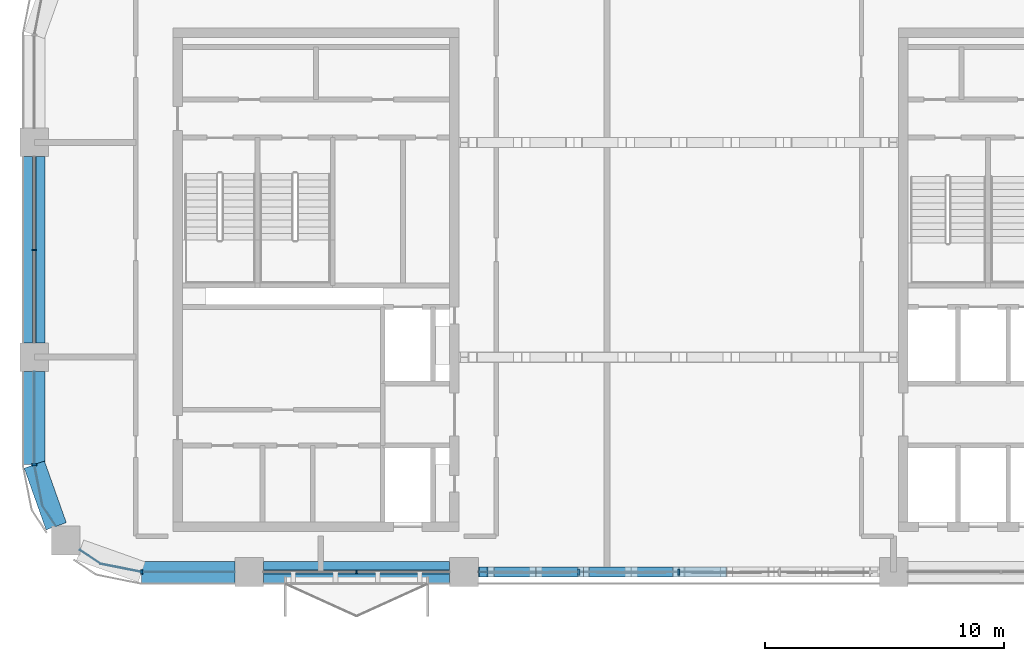
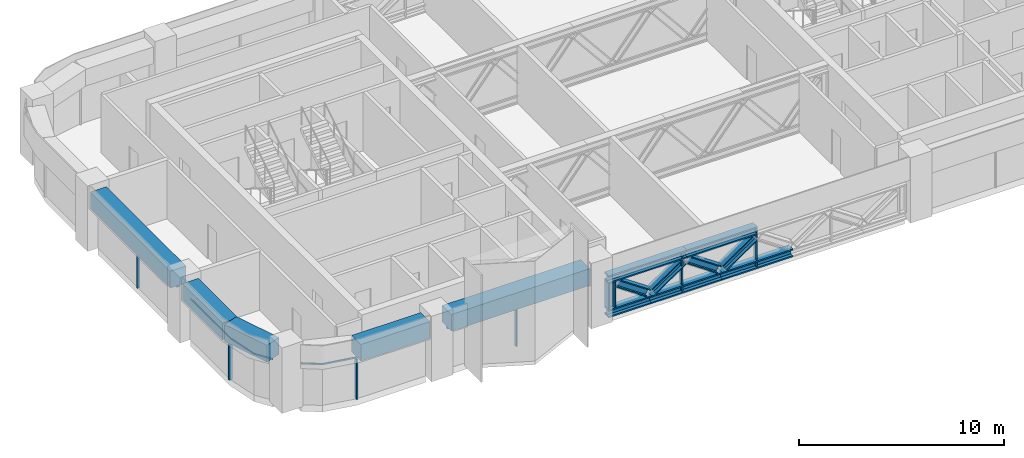
# One storey, part 2 of 14: 20 members, 5 beams, 5 elements without a shape of their own.
"""IFC4 building model written with IfcOpenShell, lengths in metres."""

from ifc_helpers import new_model, si_unit, direction, frame, origin, origin_2d, place, context, subcontext, project, spatial, polyline, rectangle, i_section, outline, extrude, material, material_profile, profile_set, type_object, element, aggregate, save


model = new_model("IFC4")

# Units and contexts
model_context = context("Model", 3, precision=1e-05, world=origin(), true_north=direction((0.0, 1.0)))
body_context = subcontext(model_context, "Body", "Model", "MODEL_VIEW")
ifc_project = project(units=[si_unit("LENGTHUNIT", "METRE"), si_unit("AREAUNIT", "SQUARE_METRE"), si_unit("VOLUMEUNIT", "CUBIC_METRE"), si_unit("PLANEANGLEUNIT", "RADIAN"), si_unit("MASSUNIT", "GRAM", prefix="KILO")], contexts=[model_context])

# Site, building, storey
site_placement = place(None, origin())
site = spatial("IfcSite", under=ifc_project, at=site_placement, CompositionType="ELEMENT")
building_placement = place(site_placement, origin())
building = spatial("IfcBuilding", under=site, at=building_placement, Name="Tessera Arch", CompositionType="ELEMENT")
storey_placement = place(building_placement, frame((0.0, 0.0, 226.699951171875)))
storey = spatial("IfcBuildingStorey", under=building, at=storey_placement, Name="L54", CompositionType="ELEMENT", Elevation=226.699951171875)

# Curtain wall, member
ifc_material_1 = material(Name="CW1 curtain wall")
curtain_wall_type_1 = type_object("IfcCurtainWallType", Name="CW1 curtain wall", PredefinedType="NOTDEFINED", material=ifc_material_1)
curtain_wall_1_placement = place(storey_placement, origin())
curtain_wall_1 = element("IfcCurtainWall", 1, at=curtain_wall_1_placement, inside=storey, type_object=curtain_wall_type_1, Name="CW1 curtain wall W0.27/1 L54", PredefinedType="NOTDEFINED")
ifc_material_2 = material(Name="Anodised aluminium pale metal", Category="aluminium")
ifc_material_profile_1 = material_profile(ifc_material_2, rectangle(XDim=0.159912109375, YDim=0.06005859375, at=origin_2d()), Name="AL 60x160")
ifc_profile_set_1 = profile_set([ifc_material_profile_1], Name="Anodised aluminium pale metal")
member_type_1 = type_object("IfcMemberType", Name="CW1 mullion", PredefinedType="MULLION", material=ifc_profile_set_1)
member_1_placement = place(storey_placement, frame((0.0, 40.5, 0.0), z_axis=(0.0, 0.0, 1.0), x_axis=(1.0, 0.0, 0.0)))
member_1 = element("IfcMember", 2, at=member_1_placement, type_object=member_type_1, Name="CW1 mullion W0.27/1 1", PredefinedType="MULLION", context=body_context, shape_type="SweptSolid", body=[
    extrude(rectangle(XDim=0.159912109375, YDim=0.06005859375, at=origin_2d()), origin(), (0.0, 0.0, 1.0), 2.400146484375),
])

curtain_wall_2_placement = place(storey_placement, origin())
curtain_wall_2 = element("IfcCurtainWall", 3, at=curtain_wall_2_placement, inside=storey, type_object=curtain_wall_type_1, Name="CW1 curtain wall S27.0/1 L54", PredefinedType="NOTDEFINED")
member_2_placement = place(storey_placement, frame((13.5, 27.0, 0.0), z_axis=(0.0, 0.0, 1.0), x_axis=(0.0, 1.0, 0.0)))
member_2 = element("IfcMember", 4, at=member_2_placement, type_object=member_type_1, Name="CW1 mullion S27.0/1 1", PredefinedType="MULLION", context=body_context, shape_type="SweptSolid", body=[
    extrude(rectangle(XDim=0.159912109375, YDim=0.06005859375, at=origin_2d()), origin(), (0.0, 0.0, 1.0), 2.400146484375),
])

# Member
ifc_material_3 = material(Name="Anodised aluminium pale metal", Category="aluminium")
ifc_material_profile_2 = material_profile(ifc_material_3, rectangle(XDim=0.159912109375, YDim=0.10009765625, at=origin_2d()), Name="AL 160x100")
ifc_profile_set_2 = profile_set([ifc_material_profile_2], Name="Anodised aluminium pale metal")
member_type_2 = type_object("IfcMemberType", Name="CW1 transom", PredefinedType="USERDEFINED", material=ifc_profile_set_2)
member_3_placement = place(storey_placement, frame((0.0, 44.39990234375, 2.449951171875), z_axis=(0.0, -1.0, 0.0), x_axis=(1.0, 0.0, 0.0)))
member_3 = element("IfcMember", 5, at=member_3_placement, type_object=member_type_2, Name="CW1 transom W0.27/1 1.1", ObjectType="TRANSOM", PredefinedType="USERDEFINED", context=body_context, shape_type="SweptSolid", body=[
    extrude(rectangle(XDim=0.159912109375, YDim=0.10009765625, at=origin_2d()), origin(), (0.0, 0.0, 1.0), 7.7998046875),
])

aggregate(curtain_wall_1, [member_1, member_3])

member_4_placement = place(storey_placement, frame((9.60009765625, 27.0, 2.449951171875), z_axis=(1.0, 0.0, 0.0), x_axis=(0.0, 1.0, 0.0)))
member_4 = element("IfcMember", 6, at=member_4_placement, type_object=member_type_2, Name="CW1 transom S27.0/1 1.1", ObjectType="TRANSOM", PredefinedType="USERDEFINED", context=body_context, shape_type="SweptSolid", body=[
    extrude(rectangle(XDim=0.159912109375, YDim=0.10009765625, at=origin_2d()), origin(), (0.0, 0.0, 1.0), 7.7998046875),
])

aggregate(curtain_wall_2, [member_2, member_4])

# Curtain wall, member
ifc_material_4 = material(Name="CW2 curtain wall")
curtain_wall_type_2 = type_object("IfcCurtainWallType", Name="CW2 curtain wall", PredefinedType="NOTDEFINED", material=ifc_material_4)
curtain_wall_3_placement = place(storey_placement, origin())
curtain_wall_3 = element("IfcCurtainWall", 7, at=curtain_wall_3_placement, inside=storey, type_object=curtain_wall_type_2, Name="CW2 curtain wall W0.27/2 L54", PredefinedType="NOTDEFINED")
ifc_material_5 = material(Name="Anodised aluminium pale metal", Category="aluminium")
ifc_material_profile_3 = material_profile(ifc_material_5, rectangle(XDim=0.199951171875, YDim=0.080078125, at=origin_2d()), Name="AL 80x200")
ifc_profile_set_3 = profile_set([ifc_material_profile_3], Name="Anodised aluminium pale metal")
member_type_3 = type_object("IfcMemberType", Name="CW2 mullion", PredefinedType="MULLION", material=ifc_profile_set_3)
member_5_placement = place(storey_placement, frame((0.0, 31.5, 0.0), z_axis=(0.0, 0.0, 1.0), x_axis=(1.0, 0.0, 0.0)))
member_5 = element("IfcMember", 8, at=member_5_placement, type_object=member_type_3, Name="CW2 mullion W0.27/2 1", PredefinedType="MULLION", context=body_context, shape_type="SweptSolid", body=[
    extrude(rectangle(XDim=0.199951171875, YDim=0.080078125, at=origin_2d()), origin(), (0.0, 0.0, 1.0), 2.400146484375),
])

curtain_wall_4_placement = place(storey_placement, origin())
curtain_wall_4 = element("IfcCurtainWall", 9, at=curtain_wall_4_placement, inside=storey, type_object=curtain_wall_type_2, Name="CW2 curtain wall S27.0/0 L54", PredefinedType="NOTDEFINED")
member_6_placement = place(storey_placement, frame((4.5, 27.0, 0.0), z_axis=(0.0, 0.0, 1.0), x_axis=(0.0, 1.0, 0.0)))
member_6 = element("IfcMember", 10, at=member_6_placement, type_object=member_type_3, Name="CW2 mullion S27.0/0 1", PredefinedType="MULLION", context=body_context, shape_type="SweptSolid", body=[
    extrude(rectangle(XDim=0.199951171875, YDim=0.080078125, at=origin_2d()), origin(), (0.0, 0.0, 1.0), 2.400146484375),
])

# Member
ifc_material_6 = material(Name="Anodised aluminium pale metal", Category="aluminium")
ifc_material_profile_4 = material_profile(ifc_material_6, rectangle(XDim=0.199951171875, YDim=0.10009765625, at=origin_2d()), Name="AL 200x100")
ifc_profile_set_4 = profile_set([ifc_material_profile_4], Name="Anodised aluminium pale metal")
member_type_4 = type_object("IfcMemberType", Name="CW2 transom", PredefinedType="USERDEFINED", material=ifc_profile_set_4)
member_7_placement = place(storey_placement, frame((0.0, 0.0, 2.400146484375)))
member_7 = element("IfcMember", 11, at=member_7_placement, type_object=member_type_4, Name="CW2 transom W0.27/2 1", ObjectType="TRANSOM", PredefinedType="USERDEFINED", context=body_context, shape_type="SweptSolid", body=[
    extrude(outline(polyline([(0.010009765625, 31.5009765625), (0.010009765625, 35.39990234375), (-0.010009765625, 35.39990234375), (-0.010009765625, 31.4990234375), (0.3330078125, 29.77392578125), (0.90869140625, 28.912353515625), (0.92529296875, 28.923583984375), (0.351806640625, 29.78173828125), (0.010009765625, 31.5009765625)])), origin(), (0.0, 0.0, 1.0), 0.099853515625),
])

aggregate(curtain_wall_3, [member_5, member_7])

member_8_placement = place(storey_placement, frame((0.0, 0.0, 2.400146484375)))
member_8 = element("IfcMember", 12, at=member_8_placement, type_object=member_type_4, Name="CW2 transom S27.0/0 1", ObjectType="TRANSOM", PredefinedType="USERDEFINED", context=body_context, shape_type="SweptSolid", body=[
    extrude(outline(polyline([(2.78173828125, 27.351806640625), (1.923583984375, 27.92529296875), (1.912353515625, 27.90869140625), (2.77392578125, 27.3330078125), (4.4990234375, 26.989990234375), (8.39990234375, 26.989990234375), (8.39990234375, 27.010009765625), (4.5009765625, 27.010009765625), (2.78173828125, 27.351806640625)])), origin(), (0.0, 0.0, 1.0), 0.099853515625),
])

aggregate(curtain_wall_4, [member_6, member_8])

# Curtain wall, members
ifc_material_7 = material(Name="CW4 curtain wall")
curtain_wall_type_3 = type_object("IfcCurtainWallType", Name="CW4 curtain wall", PredefinedType="NOTDEFINED", material=ifc_material_7)
curtain_wall_5_placement = place(storey_placement, origin())
curtain_wall_5 = element("IfcCurtainWall", 13, at=curtain_wall_5_placement, inside=storey, type_object=curtain_wall_type_3, Name="CW4 curtain wall S27.0/2 L54", PredefinedType="NOTDEFINED")
ifc_material_8 = material(Name="Anodised aluminium pale metal", Category="aluminium")
ifc_material_profile_5 = material_profile(ifc_material_8, rectangle(XDim=0.25, YDim=0.080078125, at=origin_2d()), Name="AL 80x250")
ifc_profile_set_5 = profile_set([ifc_material_profile_5], Name="Anodised aluminium pale metal")
member_type_5 = type_object("IfcMemberType", Name="CW4 mullion", PredefinedType="MULLION", material=ifc_profile_set_5)
member_9_placement = place(storey_placement, frame((22.800048828125, 27.0, 0.0), z_axis=(0.0, 0.0, 1.0), x_axis=(0.0, 1.0, 0.0)))
member_9 = element("IfcMember", 14, at=member_9_placement, type_object=member_type_5, Name="CW4 mullion S27.0/2 1", PredefinedType="MULLION", context=body_context, shape_type="SweptSolid", body=[
    extrude(rectangle(XDim=0.25, YDim=0.080078125, at=origin_2d()), origin(), (0.0, 0.0, 1.0), 2.380126953125),
])
member_10_placement = place(storey_placement, frame((27.0, 27.0, 0.0), z_axis=(0.0, 0.0, 1.0), x_axis=(0.0, 1.0, 0.0)))
member_10 = element("IfcMember", 15, at=member_10_placement, type_object=member_type_5, Name="CW4 mullion S27.0/2 2", PredefinedType="MULLION", context=body_context, shape_type="SweptSolid", body=[
    extrude(rectangle(XDim=0.25, YDim=0.080078125, at=origin_2d()), origin(), (0.0, 0.0, 1.0), 2.380126953125),
])
aggregate(curtain_wall_5, [member_9, member_10])

# Beams
ifc_material_9 = material(Name="Concrete C60/75", Category="concrete")
ifc_material_profile_6 = material_profile(ifc_material_9, rectangle(XDim=0.89990234375, YDim=1.0, at=origin_2d()), Name="RC spandrel beam 900 x 1000 Concrete C60/75")
ifc_profile_set_6 = profile_set([ifc_material_profile_6], Name="Concrete C60/75")
beam_type = type_object("IfcBeamType", Name="RC spandrel beam 900 x 1000 Concrete C60/75", PredefinedType="BEAM", material=ifc_profile_set_6)
beam_1_placement = place(storey_placement, frame((0.0, 44.39990234375, 3.0), z_axis=(0.0, -1.0, 0.0), x_axis=(1.0, 0.0, 0.0)))
element("IfcBeam", 16, at=beam_1_placement, inside=storey, type_object=beam_type, Name="Spandrel beam L54 W0.27/1", PredefinedType="BEAM", context=body_context, shape_type="SweptSolid", body=[
    extrude(rectangle(XDim=0.89990234375, YDim=1.0, at=origin_2d()), origin(), (0.0, 0.0, 1.0), 7.7998046875),
])
beam_2_placement = place(storey_placement, frame((0.0, 35.39990234375, 3.0), z_axis=(0.0, -1.0, 0.0), x_axis=(1.0, 0.0, 0.0)))
element("IfcBeam", 17, at=beam_2_placement, inside=storey, type_object=beam_type, Name="Spandrel beam L54 W0.27/2.1", PredefinedType="BEAM", context=body_context, shape_type="SweptSolid", body=[
    extrude(rectangle(XDim=0.89990234375, YDim=1.0, at=origin_2d()), origin(), (0.0, 0.0, 1.0), 3.89990234375),
])
beam_3_placement = place(storey_placement, frame((0.0, 31.5, 3.0), z_axis=(0.334665114373, -0.942337127159, 0.0), x_axis=(0.942337127159, 0.334665114373, 0.0)))
element("IfcBeam", 18, at=beam_3_placement, inside=storey, type_object=beam_type, Name="Spandrel beam L54 W0.27/2.2", PredefinedType="BEAM", context=body_context, shape_type="SweptSolid", body=[
    extrude(rectangle(XDim=0.89990234375, YDim=1.0, at=origin_2d()), origin(), (0.0, 0.0, 1.0), 2.739990234375),
])
beam_4_placement = place(storey_placement, frame((4.5, 27.0, 3.0), z_axis=(1.0, 0.0, 0.0), x_axis=(0.0, 1.0, 0.0)))
element("IfcBeam", 19, at=beam_4_placement, inside=storey, type_object=beam_type, Name="Spandrel beam L54 S27.0/0.2", PredefinedType="BEAM", context=body_context, shape_type="SweptSolid", body=[
    extrude(rectangle(XDim=0.89990234375, YDim=1.0, at=origin_2d()), origin(), (0.0, 0.0, 1.0), 3.89990234375),
])
beam_5_placement = place(storey_placement, frame((9.60009765625, 27.0, 3.0), z_axis=(1.0, 0.0, 0.0), x_axis=(0.0, 1.0, 0.0)))
element("IfcBeam", 20, at=beam_5_placement, inside=storey, type_object=beam_type, Name="Spandrel beam L54 S27.0/1", PredefinedType="BEAM", context=body_context, shape_type="SweptSolid", body=[
    extrude(rectangle(XDim=0.89990234375, YDim=1.0, at=origin_2d()), origin(), (0.0, 0.0, 1.0), 7.7998046875),
])

# Members
ifc_material_10 = material(Name="Steel A992 Gr50", Category="steel")
ifc_material_profile_7 = material_profile(ifc_material_10, i_section(OverallWidth=0.424072265625, OverallDepth=0.47412109375, WebThickness=0.047607421875, FlangeThickness=0.0771484375, at=origin_2d()), Name="W14x426")
ifc_profile_set_7 = profile_set([ifc_material_profile_7], Name="Steel A992 Gr50")
member_type_6 = type_object("IfcMemberType", Name="Truss chord W14x426", PredefinedType="CHORD", material=ifc_profile_set_7)
member_11_placement = place(storey_placement, frame((18.60009765625, 27.0, 2.262939453125), z_axis=(1.0, 0.0, 0.0), x_axis=(0.0, 1.0, 0.0)))
element("IfcMember", 21, at=member_11_placement, inside=storey, type_object=member_type_6, Name="Bridge truss top chord 1", PredefinedType="CHORD", context=body_context, shape_type="SweptSolid", body=[
    extrude(i_section(OverallWidth=0.424072265625, OverallDepth=0.47412109375, WebThickness=0.047607421875, FlangeThickness=0.0771484375, at=origin_2d()), origin(), (0.0, 0.0, 1.0), 4.408203125),
])
member_12_placement = place(storey_placement, frame((23.00830078125, 27.0, 2.262939453125), z_axis=(1.0, 0.0, 0.0), x_axis=(0.0, 1.0, 0.0)))
element("IfcMember", 22, at=member_12_placement, inside=storey, type_object=member_type_6, Name="Bridge truss top chord 2", PredefinedType="CHORD", context=body_context, shape_type="SweptSolid", body=[
    extrude(i_section(OverallWidth=0.424072265625, OverallDepth=0.47412109375, WebThickness=0.047607421875, FlangeThickness=0.0771484375, at=origin_2d()), origin(), (0.0, 0.0, 1.0), 3.99169921875),
])
member_13_placement = place(storey_placement, frame((18.60009765625, 27.0, 0.237060546875), z_axis=(1.0, 0.0, 0.0), x_axis=(0.0, 1.0, 0.0)))
element("IfcMember", 23, at=member_13_placement, inside=storey, type_object=member_type_6, Name="Bridge truss bottom chord 1", PredefinedType="CHORD", context=body_context, shape_type="SweptSolid", body=[
    extrude(i_section(OverallWidth=0.424072265625, OverallDepth=0.47412109375, WebThickness=0.047607421875, FlangeThickness=0.0771484375, at=origin_2d()), origin(), (0.0, 0.0, 1.0), 2.412353515625),
])
for number, where, z_axis, x_axis, name in (
    (24, (21.012451171875, 27.0, 0.237060546875), (1.0, 0.0, 0.0), (0.0, 1.0, 0.0), "Bridge truss bottom chord 2"),
    (25, (25.004150390625, 27.0, 0.237060546875), (1.0, 0.0, 0.0), (0.0, 1.0, 0.0), "Bridge truss bottom chord 3"),
):
    element("IfcMember", number, at=place(storey_placement, frame(where, z_axis=z_axis, x_axis=x_axis)), inside=storey, type_object=member_type_6, Name=name, PredefinedType="CHORD", context=body_context, shape_type="SweptSolid", body=[
        extrude(i_section(OverallWidth=0.424072265625, OverallDepth=0.47412109375, WebThickness=0.047607421875, FlangeThickness=0.0771484375, at=origin_2d()), origin(), (0.0, 0.0, 1.0), 3.99169921875),
    ])
ifc_material_11 = material(Name="Steel A992 Gr50", Category="steel")
ifc_material_profile_8 = material_profile(ifc_material_11, i_section(OverallWidth=0.411376953125, OverallDepth=0.434326171875, WebThickness=0.035888671875, FlangeThickness=0.057373046875, at=origin_2d()), Name="W14x311")
ifc_profile_set_8 = profile_set([ifc_material_profile_8], Name="Steel A992 Gr50")
member_type_7 = type_object("IfcMemberType", Name="Truss diagonal W14x311", PredefinedType="BRACE", material=ifc_profile_set_8)
for number, where, z_axis, x_axis, name in (
    (26, (19.15380859375, 27.0, 1.836181640625), (0.826564441946, 0.0, -0.562842094473), (0.0, 1.0, 0.0), "Bridge truss diagonal 1"),
    (27, (21.149658203125, 27.0, 0.663818359375), (0.826564441946, 0.0, 0.562842094473), (0.0, 1.0, 0.0), "Bridge truss diagonal 2"),
):
    element("IfcMember", number, at=place(storey_placement, frame(where, z_axis=z_axis, x_axis=x_axis)), inside=storey, type_object=member_type_7, Name=name, PredefinedType="BRACE", context=body_context, shape_type="SweptSolid", body=[
        extrude(i_section(OverallWidth=0.411376953125, OverallDepth=0.434326171875, WebThickness=0.035888671875, FlangeThickness=0.057373046875, at=origin_2d()), origin(), (0.0, 0.0, 1.0), 2.0830078125),
    ])
for number, where, z_axis, x_axis, name in (
    (28, (23.1455078125, 27.0, 1.836181640625), (0.826527305471, 0.0, -0.562896627553), (0.0, 1.0, 0.0), "Bridge truss diagonal 3"),
    (29, (25.141357421875, 27.0, 0.663818359375), (0.826527305471, 0.0, 0.562896627553), (0.0, 1.0, 0.0), "Bridge truss diagonal 4"),
):
    element("IfcMember", number, at=place(storey_placement, frame(where, z_axis=z_axis, x_axis=x_axis)), inside=storey, type_object=member_type_7, Name=name, PredefinedType="BRACE", context=body_context, shape_type="SweptSolid", body=[
        extrude(i_section(OverallWidth=0.411376953125, OverallDepth=0.434326171875, WebThickness=0.035888671875, FlangeThickness=0.057373046875, at=origin_2d()), origin(), (0.0, 0.0, 1.0), 2.082763671875),
    ])
ifc_material_12 = material(Name="Steel A992 Gr50", Category="steel")
ifc_material_profile_9 = material_profile(ifc_material_12, i_section(OverallWidth=0.406494140625, OverallDepth=0.41650390625, WebThickness=0.030029296875, FlangeThickness=0.048095703125, at=origin_2d()), Name="W14x257")
ifc_profile_set_9 = profile_set([ifc_material_profile_9], Name="Steel A992 Gr50")
member_type_8 = type_object("IfcMemberType", Name="Truss post W14x257", PredefinedType="POST", material=ifc_profile_set_9)
member_14_placement = place(storey_placement, frame((18.808349609375, 27.0, 0.474365234375), z_axis=(0.0, 0.0, 1.0), x_axis=(0.0, 1.0, 0.0)))
element("IfcMember", 30, at=member_14_placement, inside=storey, type_object=member_type_8, Name="Bridge truss end post 1", PredefinedType="POST", context=body_context, shape_type="SweptSolid", body=[
    extrude(i_section(OverallWidth=0.406494140625, OverallDepth=0.41650390625, WebThickness=0.030029296875, FlangeThickness=0.048095703125, at=origin_2d()), origin(), (0.0, 0.0, 1.0), 1.551513671875),
])

save(model, "model.ifc")
